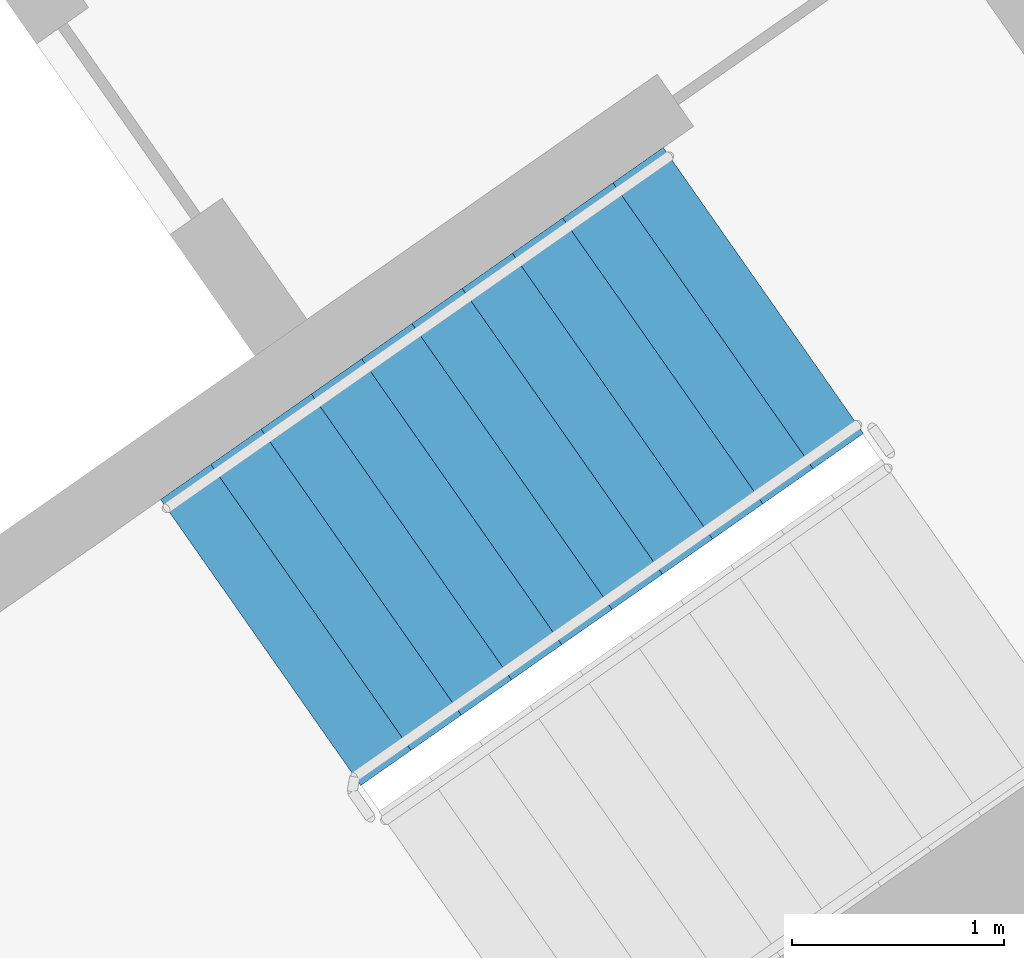
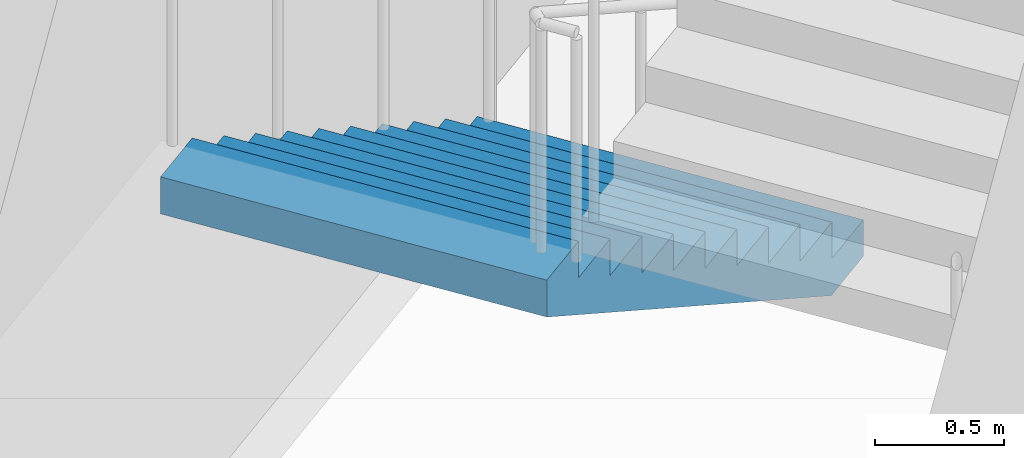
# One storey, part 16 of 31: 1 stair flight, 1 element without a shape of its own.
"""IFC4 building model written with IfcOpenShell, lengths in metres."""

from ifc_helpers import new_model, si_unit, direction, frame, origin, place, context, subcontext, project, spatial, faceted_brep, material, type_object, element, aggregate, save


model = new_model("IFC4")

# Units and contexts
model_context = context("Model", 3, precision=1e-05, world=origin(), true_north=direction((0.0, 1.0)))
body_context = subcontext(model_context, "Body", "Model", "MODEL_VIEW")
ifc_project = project(units=[si_unit("LENGTHUNIT", "METRE"), si_unit("AREAUNIT", "SQUARE_METRE"), si_unit("VOLUMEUNIT", "CUBIC_METRE"), si_unit("PLANEANGLEUNIT", "RADIAN"), si_unit("MASSUNIT", "GRAM", prefix="KILO")], contexts=[model_context])

# Site, building, storey
site_placement = place(None, origin())
site = spatial("IfcSite", under=ifc_project, at=site_placement, CompositionType="ELEMENT")
building_placement = place(site_placement, origin())
building = spatial("IfcBuilding", under=site, at=building_placement, Name="Qamariyya Broadcast Tower", CompositionType="ELEMENT")
storey_placement = place(building_placement, frame((0.0, 0.0, 82.300048828125)))
storey = spatial("IfcBuildingStorey", under=building, at=storey_placement, Name="L17", CompositionType="ELEMENT", Elevation=82.300048828125)

# Stair, stair flight
ifc_material = material(Name="Concrete C50/60", Category="concrete")
stair_type = type_object("IfcStairType", Name="Exit stair 22 risers of 173 mm", PredefinedType="HALF_TURN_STAIR", material=ifc_material)
stair_placement = place(storey_placement, origin())
stair = element("IfcStair", 1, at=stair_placement, inside=storey, type_object=stair_type, Name="L17 Stair E1", PredefinedType="HALF_TURN_STAIR")
stair_flight_type = type_object("IfcStairFlightType", Name="Exit stair flight 11 risers of 173 mm", PredefinedType="STRAIGHT", material=ifc_material)
stair_flight_placement = place(storey_placement, frame((46.036376953125, -55.508056640625, 0.0), z_axis=(0.0, 0.0, 1.0), x_axis=(-0.819152044289, -0.573576436351, 0.0)))
stair_flight = element("IfcStairFlight", 2, at=stair_flight_placement, type_object=stair_flight_type, Name="ST-E1 flight 1", NumberOfRisers=11, NumberOfTreads=10, PredefinedType="STRAIGHT", RiserHeight=0.172727273, TreadLength=0.29, context=body_context, shape_type="Brep", body=[
    faceted_brep([(0.0, 0.824951171875, 0.0), (0.0, 0.824951171875, 0.172607421875), (0.2900390625, 0.824951171875, 0.172607421875), (0.2900390625, 0.824951171875, 0.345458984375), (0.580078125, 0.824951171875, 0.345458984375), (0.580078125, 0.824951171875, 0.51806640625), (0.8701171875, 0.824951171875, 0.51806640625), (0.8701171875, 0.824951171875, 0.69091796875), (1.159912109375, 0.824951171875, 0.69091796875), (1.159912109375, 0.824951171875, 0.863525390625), (1.449951171875, 0.824951171875, 0.863525390625), (1.449951171875, 0.824951171875, 1.036376953125), (1.739990234375, 0.824951171875, 1.036376953125), (1.739990234375, 0.824951171875, 1.208984375), (2.030029296875, 0.824951171875, 1.208984375), (2.030029296875, 0.824951171875, 1.3818359375), (2.320068359375, 0.824951171875, 1.3818359375), (2.320068359375, 0.824951171875, 1.554443359375), (2.610107421875, 0.824951171875, 1.554443359375), (2.610107421875, 0.824951171875, 1.727294921875), (2.89990234375, 0.824951171875, 1.727294921875), (2.89990234375, 0.824951171875, 1.552734375), (0.29296875, 0.824951171875, 0.0), (0.29296875, -0.824951171875, 0.0), (2.89990234375, -0.824951171875, 1.552734375), (2.89990234375, -0.824951171875, 1.727294921875), (2.610107421875, -0.824951171875, 1.727294921875), (2.610107421875, -0.824951171875, 1.554443359375), (2.320068359375, -0.824951171875, 1.554443359375), (2.320068359375, -0.824951171875, 1.3818359375), (2.030029296875, -0.824951171875, 1.3818359375), (2.030029296875, -0.824951171875, 1.208984375), (1.739990234375, -0.824951171875, 1.208984375), (1.739990234375, -0.824951171875, 1.036376953125), (1.449951171875, -0.824951171875, 1.036376953125), (1.449951171875, -0.824951171875, 0.863525390625), (1.159912109375, -0.824951171875, 0.863525390625), (1.159912109375, -0.824951171875, 0.69091796875), (0.8701171875, -0.824951171875, 0.69091796875), (0.8701171875, -0.824951171875, 0.51806640625), (0.580078125, -0.824951171875, 0.51806640625), (0.580078125, -0.824951171875, 0.345458984375), (0.2900390625, -0.824951171875, 0.345458984375), (0.2900390625, -0.824951171875, 0.172607421875), (0.0, -0.824951171875, 0.172607421875), (0.0, -0.824951171875, 0.0), (0.0, 0.10009765625, 0.0), (0.0, 0.086669921875, 0.0), (0.0, 0.0732421875, 0.0), (0.0, 0.06005859375, 0.0), (0.0, 0.046630859375, 0.0), (0.0, 0.033447265625, 0.0), (0.0, 0.02001953125, 0.0), (0.0, 0.006591796875, 0.0), (0.0, -0.006591796875, 0.0), (0.0, -0.02001953125, 0.0), (0.0, -0.033447265625, 0.0), (0.0, -0.046630859375, 0.0), (0.0, -0.06005859375, 0.0), (0.0, -0.0732421875, 0.0), (0.0, -0.086669921875, 0.0), (0.0, -0.10009765625, 0.0), (0.0, -0.10009765625, 0.172607421875), (0.0, -0.086669921875, 0.172607421875), (0.0, -0.0732421875, 0.172607421875), (0.0, -0.06005859375, 0.172607421875), (0.0, -0.046630859375, 0.172607421875), (0.0, -0.033447265625, 0.172607421875), (0.0, -0.02001953125, 0.172607421875), (0.0, -0.006591796875, 0.172607421875), (0.0, 0.006591796875, 0.172607421875), (0.0, 0.02001953125, 0.172607421875), (0.0, 0.033447265625, 0.172607421875), (0.0, 0.046630859375, 0.172607421875), (0.0, 0.06005859375, 0.172607421875), (0.0, 0.0732421875, 0.172607421875), (0.0, 0.086669921875, 0.172607421875), (0.0, 0.10009765625, 0.172607421875), (0.2900390625, -0.10009765625, 0.172607421875), (0.2900390625, -0.086669921875, 0.172607421875), (0.2900390625, -0.0732421875, 0.172607421875), (0.2900390625, -0.06005859375, 0.172607421875), (0.2900390625, -0.046630859375, 0.172607421875), (0.2900390625, -0.033447265625, 0.172607421875), (0.2900390625, -0.02001953125, 0.172607421875), (0.2900390625, -0.006591796875, 0.172607421875), (0.2900390625, 0.006591796875, 0.172607421875), (0.2900390625, 0.02001953125, 0.172607421875), (0.2900390625, 0.033447265625, 0.172607421875), (0.2900390625, 0.046630859375, 0.172607421875), (0.2900390625, 0.06005859375, 0.172607421875), (0.2900390625, 0.0732421875, 0.172607421875), (0.2900390625, 0.086669921875, 0.172607421875), (0.2900390625, 0.10009765625, 0.172607421875), (0.2900390625, -0.10009765625, 0.345458984375), (0.2900390625, -0.086669921875, 0.345458984375), (0.2900390625, -0.0732421875, 0.345458984375), (0.2900390625, -0.06005859375, 0.345458984375), (0.2900390625, -0.046630859375, 0.345458984375), (0.2900390625, -0.033447265625, 0.345458984375), (0.2900390625, -0.02001953125, 0.345458984375), (0.2900390625, -0.006591796875, 0.345458984375), (0.2900390625, 0.006591796875, 0.345458984375), (0.2900390625, 0.02001953125, 0.345458984375), (0.2900390625, 0.033447265625, 0.345458984375), (0.2900390625, 0.046630859375, 0.345458984375), (0.2900390625, 0.06005859375, 0.345458984375), (0.2900390625, 0.0732421875, 0.345458984375), (0.2900390625, 0.086669921875, 0.345458984375), (0.2900390625, 0.10009765625, 0.345458984375), (0.580078125, -0.10009765625, 0.345458984375), (0.580078125, -0.086669921875, 0.345458984375), (0.580078125, -0.0732421875, 0.345458984375), (0.580078125, -0.06005859375, 0.345458984375), (0.580078125, -0.046630859375, 0.345458984375), (0.580078125, -0.033447265625, 0.345458984375), (0.580078125, -0.02001953125, 0.345458984375), (0.580078125, -0.006591796875, 0.345458984375), (0.580078125, 0.006591796875, 0.345458984375), (0.580078125, 0.02001953125, 0.345458984375), (0.580078125, 0.033447265625, 0.345458984375), (0.580078125, 0.046630859375, 0.345458984375), (0.580078125, 0.06005859375, 0.345458984375), (0.580078125, 0.0732421875, 0.345458984375), (0.580078125, 0.086669921875, 0.345458984375), (0.580078125, 0.10009765625, 0.345458984375), (0.580078125, -0.10009765625, 0.51806640625), (0.580078125, -0.086669921875, 0.51806640625), (0.580078125, -0.0732421875, 0.51806640625), (0.580078125, -0.06005859375, 0.51806640625), (0.580078125, -0.046630859375, 0.51806640625), (0.580078125, -0.033447265625, 0.51806640625), (0.580078125, -0.02001953125, 0.51806640625), (0.580078125, -0.006591796875, 0.51806640625), (0.580078125, 0.006591796875, 0.51806640625), (0.580078125, 0.02001953125, 0.51806640625), (0.580078125, 0.033447265625, 0.51806640625), (0.580078125, 0.046630859375, 0.51806640625), (0.580078125, 0.06005859375, 0.51806640625), (0.580078125, 0.0732421875, 0.51806640625), (0.580078125, 0.086669921875, 0.51806640625), (0.580078125, 0.10009765625, 0.51806640625), (0.8701171875, -0.10009765625, 0.51806640625), (0.8701171875, -0.086669921875, 0.51806640625), (0.8701171875, -0.0732421875, 0.51806640625), (0.8701171875, -0.06005859375, 0.51806640625), (0.8701171875, -0.046630859375, 0.51806640625), (0.8701171875, -0.033447265625, 0.51806640625), (0.8701171875, -0.02001953125, 0.51806640625), (0.8701171875, -0.006591796875, 0.51806640625), (0.8701171875, 0.006591796875, 0.51806640625), (0.8701171875, 0.02001953125, 0.51806640625), (0.8701171875, 0.033447265625, 0.51806640625), (0.8701171875, 0.046630859375, 0.51806640625), (0.8701171875, 0.06005859375, 0.51806640625), (0.8701171875, 0.0732421875, 0.51806640625), (0.8701171875, 0.086669921875, 0.51806640625), (0.8701171875, 0.10009765625, 0.51806640625), (0.8701171875, -0.10009765625, 0.69091796875), (0.8701171875, -0.086669921875, 0.69091796875), (0.8701171875, -0.0732421875, 0.69091796875), (0.8701171875, -0.06005859375, 0.69091796875), (0.8701171875, -0.046630859375, 0.69091796875), (0.8701171875, -0.033447265625, 0.69091796875), (0.8701171875, -0.02001953125, 0.69091796875), (0.8701171875, -0.006591796875, 0.69091796875), (0.8701171875, 0.006591796875, 0.69091796875), (0.8701171875, 0.02001953125, 0.69091796875), (0.8701171875, 0.033447265625, 0.69091796875), (0.8701171875, 0.046630859375, 0.69091796875), (0.8701171875, 0.06005859375, 0.69091796875), (0.8701171875, 0.0732421875, 0.69091796875), (0.8701171875, 0.086669921875, 0.69091796875), (0.8701171875, 0.10009765625, 0.69091796875), (1.159912109375, -0.10009765625, 0.69091796875), (1.159912109375, -0.086669921875, 0.69091796875), (1.159912109375, -0.0732421875, 0.69091796875), (1.159912109375, -0.06005859375, 0.69091796875), (1.159912109375, -0.046630859375, 0.69091796875), (1.159912109375, -0.033447265625, 0.69091796875), (1.159912109375, -0.02001953125, 0.69091796875), (1.159912109375, -0.006591796875, 0.69091796875), (1.159912109375, 0.006591796875, 0.69091796875), (1.159912109375, 0.02001953125, 0.69091796875), (1.159912109375, 0.033447265625, 0.69091796875), (1.159912109375, 0.046630859375, 0.69091796875), (1.159912109375, 0.06005859375, 0.69091796875), (1.159912109375, 0.0732421875, 0.69091796875), (1.159912109375, 0.086669921875, 0.69091796875), (1.159912109375, 0.10009765625, 0.69091796875), (1.159912109375, -0.10009765625, 0.863525390625), (1.159912109375, -0.086669921875, 0.863525390625), (1.159912109375, -0.0732421875, 0.863525390625), (1.159912109375, -0.06005859375, 0.863525390625), (1.159912109375, -0.046630859375, 0.863525390625), (1.159912109375, -0.033447265625, 0.863525390625), (1.159912109375, -0.02001953125, 0.863525390625), (1.159912109375, -0.006591796875, 0.863525390625), (1.159912109375, 0.006591796875, 0.863525390625), (1.159912109375, 0.02001953125, 0.863525390625), (1.159912109375, 0.033447265625, 0.863525390625), (1.159912109375, 0.046630859375, 0.863525390625), (1.159912109375, 0.06005859375, 0.863525390625), (1.159912109375, 0.0732421875, 0.863525390625), (1.159912109375, 0.086669921875, 0.863525390625), (1.159912109375, 0.10009765625, 0.863525390625), (1.449951171875, -0.10009765625, 0.863525390625), (1.449951171875, -0.086669921875, 0.863525390625), (1.449951171875, -0.0732421875, 0.863525390625), (1.449951171875, -0.06005859375, 0.863525390625), (1.449951171875, -0.046630859375, 0.863525390625), (1.449951171875, -0.033447265625, 0.863525390625), (1.449951171875, -0.02001953125, 0.863525390625), (1.449951171875, -0.006591796875, 0.863525390625), (1.449951171875, 0.006591796875, 0.863525390625), (1.449951171875, 0.02001953125, 0.863525390625), (1.449951171875, 0.033447265625, 0.863525390625), (1.449951171875, 0.046630859375, 0.863525390625), (1.449951171875, 0.06005859375, 0.863525390625), (1.449951171875, 0.0732421875, 0.863525390625), (1.449951171875, 0.086669921875, 0.863525390625), (1.449951171875, 0.10009765625, 0.863525390625), (1.449951171875, -0.10009765625, 1.036376953125), (1.449951171875, -0.086669921875, 1.036376953125), (1.449951171875, -0.0732421875, 1.036376953125), (1.449951171875, -0.06005859375, 1.036376953125), (1.449951171875, -0.046630859375, 1.036376953125), (1.449951171875, -0.033447265625, 1.036376953125), (1.449951171875, -0.02001953125, 1.036376953125), (1.449951171875, -0.006591796875, 1.036376953125), (1.449951171875, 0.006591796875, 1.036376953125), (1.449951171875, 0.02001953125, 1.036376953125), (1.449951171875, 0.033447265625, 1.036376953125), (1.449951171875, 0.046630859375, 1.036376953125), (1.449951171875, 0.06005859375, 1.036376953125), (1.449951171875, 0.0732421875, 1.036376953125), (1.449951171875, 0.086669921875, 1.036376953125), (1.449951171875, 0.10009765625, 1.036376953125), (1.739990234375, -0.10009765625, 1.036376953125), (1.739990234375, -0.086669921875, 1.036376953125), (1.739990234375, -0.0732421875, 1.036376953125), (1.739990234375, -0.06005859375, 1.036376953125), (1.739990234375, -0.046630859375, 1.036376953125), (1.739990234375, -0.033447265625, 1.036376953125), (1.739990234375, -0.02001953125, 1.036376953125), (1.739990234375, -0.006591796875, 1.036376953125), (1.739990234375, 0.006591796875, 1.036376953125), (1.739990234375, 0.02001953125, 1.036376953125), (1.739990234375, 0.033447265625, 1.036376953125), (1.739990234375, 0.046630859375, 1.036376953125), (1.739990234375, 0.06005859375, 1.036376953125), (1.739990234375, 0.0732421875, 1.036376953125), (1.739990234375, 0.086669921875, 1.036376953125), (1.739990234375, 0.10009765625, 1.036376953125), (1.739990234375, -0.10009765625, 1.208984375), (1.739990234375, -0.086669921875, 1.208984375), (1.739990234375, -0.0732421875, 1.208984375), (1.739990234375, -0.06005859375, 1.208984375), (1.739990234375, -0.046630859375, 1.208984375), (1.739990234375, -0.033447265625, 1.208984375), (1.739990234375, -0.02001953125, 1.208984375), (1.739990234375, -0.006591796875, 1.208984375), (1.739990234375, 0.006591796875, 1.208984375), (1.739990234375, 0.02001953125, 1.208984375), (1.739990234375, 0.033447265625, 1.208984375), (1.739990234375, 0.046630859375, 1.208984375), (1.739990234375, 0.06005859375, 1.208984375), (1.739990234375, 0.0732421875, 1.208984375), (1.739990234375, 0.086669921875, 1.208984375), (1.739990234375, 0.10009765625, 1.208984375), (2.030029296875, -0.10009765625, 1.208984375), (2.030029296875, -0.086669921875, 1.208984375), (2.030029296875, -0.0732421875, 1.208984375), (2.030029296875, -0.06005859375, 1.208984375), (2.030029296875, -0.046630859375, 1.208984375), (2.030029296875, -0.033447265625, 1.208984375), (2.030029296875, -0.02001953125, 1.208984375), (2.030029296875, -0.006591796875, 1.208984375), (2.030029296875, 0.006591796875, 1.208984375), (2.030029296875, 0.02001953125, 1.208984375), (2.030029296875, 0.033447265625, 1.208984375), (2.030029296875, 0.046630859375, 1.208984375), (2.030029296875, 0.06005859375, 1.208984375), (2.030029296875, 0.0732421875, 1.208984375), (2.030029296875, 0.086669921875, 1.208984375), (2.030029296875, 0.10009765625, 1.208984375), (2.030029296875, -0.10009765625, 1.3818359375), (2.030029296875, -0.086669921875, 1.3818359375), (2.030029296875, -0.0732421875, 1.3818359375), (2.030029296875, -0.06005859375, 1.3818359375), (2.030029296875, -0.046630859375, 1.3818359375), (2.030029296875, -0.033447265625, 1.3818359375), (2.030029296875, -0.02001953125, 1.3818359375), (2.030029296875, -0.006591796875, 1.3818359375), (2.030029296875, 0.006591796875, 1.3818359375), (2.030029296875, 0.02001953125, 1.3818359375), (2.030029296875, 0.033447265625, 1.3818359375), (2.030029296875, 0.046630859375, 1.3818359375), (2.030029296875, 0.06005859375, 1.3818359375), (2.030029296875, 0.0732421875, 1.3818359375), (2.030029296875, 0.086669921875, 1.3818359375), (2.030029296875, 0.10009765625, 1.3818359375), (2.320068359375, -0.10009765625, 1.3818359375), (2.320068359375, -0.086669921875, 1.3818359375), (2.320068359375, -0.0732421875, 1.3818359375), (2.320068359375, -0.06005859375, 1.3818359375), (2.320068359375, -0.046630859375, 1.3818359375), (2.320068359375, -0.033447265625, 1.3818359375), (2.320068359375, -0.02001953125, 1.3818359375), (2.320068359375, -0.006591796875, 1.3818359375), (2.320068359375, 0.006591796875, 1.3818359375), (2.320068359375, 0.02001953125, 1.3818359375), (2.320068359375, 0.033447265625, 1.3818359375), (2.320068359375, 0.046630859375, 1.3818359375), (2.320068359375, 0.06005859375, 1.3818359375), (2.320068359375, 0.0732421875, 1.3818359375), (2.320068359375, 0.086669921875, 1.3818359375), (2.320068359375, 0.10009765625, 1.3818359375), (2.320068359375, -0.10009765625, 1.554443359375), (2.320068359375, -0.086669921875, 1.554443359375), (2.320068359375, -0.0732421875, 1.554443359375), (2.320068359375, -0.06005859375, 1.554443359375), (2.320068359375, -0.046630859375, 1.554443359375), (2.320068359375, -0.033447265625, 1.554443359375), (2.320068359375, -0.02001953125, 1.554443359375), (2.320068359375, -0.006591796875, 1.554443359375), (2.320068359375, 0.006591796875, 1.554443359375), (2.320068359375, 0.02001953125, 1.554443359375), (2.320068359375, 0.033447265625, 1.554443359375), (2.320068359375, 0.046630859375, 1.554443359375), (2.320068359375, 0.06005859375, 1.554443359375), (2.320068359375, 0.0732421875, 1.554443359375), (2.320068359375, 0.086669921875, 1.554443359375), (2.320068359375, 0.10009765625, 1.554443359375), (2.610107421875, -0.10009765625, 1.554443359375), (2.610107421875, -0.086669921875, 1.554443359375), (2.610107421875, -0.0732421875, 1.554443359375), (2.610107421875, -0.06005859375, 1.554443359375), (2.610107421875, -0.046630859375, 1.554443359375), (2.610107421875, -0.033447265625, 1.554443359375), (2.610107421875, -0.02001953125, 1.554443359375), (2.610107421875, -0.006591796875, 1.554443359375), (2.610107421875, 0.006591796875, 1.554443359375), (2.610107421875, 0.02001953125, 1.554443359375), (2.610107421875, 0.033447265625, 1.554443359375), (2.610107421875, 0.046630859375, 1.554443359375), (2.610107421875, 0.06005859375, 1.554443359375), (2.610107421875, 0.0732421875, 1.554443359375), (2.610107421875, 0.086669921875, 1.554443359375), (2.610107421875, 0.10009765625, 1.554443359375), (2.610107421875, -0.10009765625, 1.727294921875), (2.610107421875, -0.086669921875, 1.727294921875), (2.610107421875, -0.0732421875, 1.727294921875), (2.610107421875, -0.06005859375, 1.727294921875), (2.610107421875, -0.046630859375, 1.727294921875), (2.610107421875, -0.033447265625, 1.727294921875), (2.610107421875, -0.02001953125, 1.727294921875), (2.610107421875, -0.006591796875, 1.727294921875), (2.610107421875, 0.006591796875, 1.727294921875), (2.610107421875, 0.02001953125, 1.727294921875), (2.610107421875, 0.033447265625, 1.727294921875), (2.610107421875, 0.046630859375, 1.727294921875), (2.610107421875, 0.06005859375, 1.727294921875), (2.610107421875, 0.0732421875, 1.727294921875), (2.610107421875, 0.086669921875, 1.727294921875), (2.610107421875, 0.10009765625, 1.727294921875), (2.89990234375, -0.10009765625, 1.727294921875), (2.89990234375, -0.086669921875, 1.727294921875), (2.89990234375, -0.0732421875, 1.727294921875), (2.89990234375, -0.06005859375, 1.727294921875), (2.89990234375, -0.046630859375, 1.727294921875), (2.89990234375, -0.033447265625, 1.727294921875), (2.89990234375, -0.02001953125, 1.727294921875), (2.89990234375, -0.006591796875, 1.727294921875), (2.89990234375, 0.006591796875, 1.727294921875), (2.89990234375, 0.02001953125, 1.727294921875), (2.89990234375, 0.033447265625, 1.727294921875), (2.89990234375, 0.046630859375, 1.727294921875), (2.89990234375, 0.06005859375, 1.727294921875), (2.89990234375, 0.0732421875, 1.727294921875), (2.89990234375, 0.086669921875, 1.727294921875), (2.89990234375, 0.10009765625, 1.727294921875), (2.89990234375, -0.10009765625, 1.552734375), (2.89990234375, -0.086669921875, 1.552734375), (2.89990234375, -0.0732421875, 1.552734375), (2.89990234375, -0.06005859375, 1.552734375), (2.89990234375, -0.046630859375, 1.552734375), (2.89990234375, -0.033447265625, 1.552734375), (2.89990234375, -0.02001953125, 1.552734375), (2.89990234375, -0.006591796875, 1.552734375), (2.89990234375, 0.006591796875, 1.552734375), (2.89990234375, 0.02001953125, 1.552734375), (2.89990234375, 0.033447265625, 1.552734375), (2.89990234375, 0.046630859375, 1.552734375), (2.89990234375, 0.06005859375, 1.552734375), (2.89990234375, 0.0732421875, 1.552734375), (2.89990234375, 0.086669921875, 1.552734375), (2.89990234375, 0.10009765625, 1.552734375), (0.29296875, -0.10009765625, 0.0), (0.29296875, -0.086669921875, 0.0), (0.29296875, -0.0732421875, 0.0), (0.29296875, -0.06005859375, 0.0), (0.29296875, -0.046630859375, 0.0), (0.29296875, -0.033447265625, 0.0), (0.29296875, -0.02001953125, 0.0), (0.29296875, -0.006591796875, 0.0), (0.29296875, 0.006591796875, 0.0), (0.29296875, 0.02001953125, 0.0), (0.29296875, 0.033447265625, 0.0), (0.29296875, 0.046630859375, 0.0), (0.29296875, 0.06005859375, 0.0), (0.29296875, 0.0732421875, 0.0), (0.29296875, 0.086669921875, 0.0), (0.29296875, 0.10009765625, 0.0)], [[[0, 1, 2, 3, 4, 5, 6, 7, 8, 9, 10, 11, 12, 13, 14, 15, 16, 17, 18, 19, 20, 21, 22]], [[23, 24, 25, 26, 27, 28, 29, 30, 31, 32, 33, 34, 35, 36, 37, 38, 39, 40, 41, 42, 43, 44, 45]], [[0, 46, 47, 48, 49, 50, 51, 52, 53, 54, 55, 56, 57, 58, 59, 60, 61, 45, 44, 62, 63, 64, 65, 66, 67, 68, 69, 70, 71, 72, 73, 74, 75, 76, 77, 1]], [[1, 77, 76, 75, 74, 73, 72, 71, 70, 69, 68, 67, 66, 65, 64, 63, 62, 44, 43, 78, 79, 80, 81, 82, 83, 84, 85, 86, 87, 88, 89, 90, 91, 92, 93, 2]], [[2, 93, 92, 91, 90, 89, 88, 87, 86, 85, 84, 83, 82, 81, 80, 79, 78, 43, 42, 94, 95, 96, 97, 98, 99, 100, 101, 102, 103, 104, 105, 106, 107, 108, 109, 3]], [[3, 109, 108, 107, 106, 105, 104, 103, 102, 101, 100, 99, 98, 97, 96, 95, 94, 42, 41, 110, 111, 112, 113, 114, 115, 116, 117, 118, 119, 120, 121, 122, 123, 124, 125, 4]], [[4, 125, 124, 123, 122, 121, 120, 119, 118, 117, 116, 115, 114, 113, 112, 111, 110, 41, 40, 126, 127, 128, 129, 130, 131, 132, 133, 134, 135, 136, 137, 138, 139, 140, 141, 5]], [[5, 141, 140, 139, 138, 137, 136, 135, 134, 133, 132, 131, 130, 129, 128, 127, 126, 40, 39, 142, 143, 144, 145, 146, 147, 148, 149, 150, 151, 152, 153, 154, 155, 156, 157, 6]], [[6, 157, 156, 155, 154, 153, 152, 151, 150, 149, 148, 147, 146, 145, 144, 143, 142, 39, 38, 158, 159, 160, 161, 162, 163, 164, 165, 166, 167, 168, 169, 170, 171, 172, 173, 7]], [[7, 173, 172, 171, 170, 169, 168, 167, 166, 165, 164, 163, 162, 161, 160, 159, 158, 38, 37, 174, 175, 176, 177, 178, 179, 180, 181, 182, 183, 184, 185, 186, 187, 188, 189, 8]], [[8, 189, 188, 187, 186, 185, 184, 183, 182, 181, 180, 179, 178, 177, 176, 175, 174, 37, 36, 190, 191, 192, 193, 194, 195, 196, 197, 198, 199, 200, 201, 202, 203, 204, 205, 9]], [[9, 205, 204, 203, 202, 201, 200, 199, 198, 197, 196, 195, 194, 193, 192, 191, 190, 36, 35, 206, 207, 208, 209, 210, 211, 212, 213, 214, 215, 216, 217, 218, 219, 220, 221, 10]], [[10, 221, 220, 219, 218, 217, 216, 215, 214, 213, 212, 211, 210, 209, 208, 207, 206, 35, 34, 222, 223, 224, 225, 226, 227, 228, 229, 230, 231, 232, 233, 234, 235, 236, 237, 11]], [[11, 237, 236, 235, 234, 233, 232, 231, 230, 229, 228, 227, 226, 225, 224, 223, 222, 34, 33, 238, 239, 240, 241, 242, 243, 244, 245, 246, 247, 248, 249, 250, 251, 252, 253, 12]], [[12, 253, 252, 251, 250, 249, 248, 247, 246, 245, 244, 243, 242, 241, 240, 239, 238, 33, 32, 254, 255, 256, 257, 258, 259, 260, 261, 262, 263, 264, 265, 266, 267, 268, 269, 13]], [[13, 269, 268, 267, 266, 265, 264, 263, 262, 261, 260, 259, 258, 257, 256, 255, 254, 32, 31, 270, 271, 272, 273, 274, 275, 276, 277, 278, 279, 280, 281, 282, 283, 284, 285, 14]], [[14, 285, 284, 283, 282, 281, 280, 279, 278, 277, 276, 275, 274, 273, 272, 271, 270, 31, 30, 286, 287, 288, 289, 290, 291, 292, 293, 294, 295, 296, 297, 298, 299, 300, 301, 15]], [[15, 301, 300, 299, 298, 297, 296, 295, 294, 293, 292, 291, 290, 289, 288, 287, 286, 30, 29, 302, 303, 304, 305, 306, 307, 308, 309, 310, 311, 312, 313, 314, 315, 316, 317, 16]], [[16, 317, 316, 315, 314, 313, 312, 311, 310, 309, 308, 307, 306, 305, 304, 303, 302, 29, 28, 318, 319, 320, 321, 322, 323, 324, 325, 326, 327, 328, 329, 330, 331, 332, 333, 17]], [[17, 333, 332, 331, 330, 329, 328, 327, 326, 325, 324, 323, 322, 321, 320, 319, 318, 28, 27, 334, 335, 336, 337, 338, 339, 340, 341, 342, 343, 344, 345, 346, 347, 348, 349, 18]], [[18, 349, 348, 347, 346, 345, 344, 343, 342, 341, 340, 339, 338, 337, 336, 335, 334, 27, 26, 350, 351, 352, 353, 354, 355, 356, 357, 358, 359, 360, 361, 362, 363, 364, 365, 19]], [[19, 365, 364, 363, 362, 361, 360, 359, 358, 357, 356, 355, 354, 353, 352, 351, 350, 26, 25, 366, 367, 368, 369, 370, 371, 372, 373, 374, 375, 376, 377, 378, 379, 380, 381, 20]], [[20, 381, 380, 379, 378, 377, 376, 375, 374, 373, 372, 371, 370, 369, 368, 367, 366, 25, 24, 382, 383, 384, 385, 386, 387, 388, 389, 390, 391, 392, 393, 394, 395, 396, 397, 21]], [[21, 397, 396, 395, 394, 393, 392, 391, 390, 389, 388, 387, 386, 385, 384, 383, 382, 24, 23, 398, 399, 400, 401, 402, 403, 404, 405, 406, 407, 408, 409, 410, 411, 412, 413, 22]], [[22, 413, 412, 411, 410, 409, 408, 407, 406, 405, 404, 403, 402, 401, 400, 399, 398, 23, 45, 61, 60, 59, 58, 57, 56, 55, 54, 53, 52, 51, 50, 49, 48, 47, 46, 0]]]),
])
aggregate(stair, [stair_flight])

save(model, "model.ifc")
